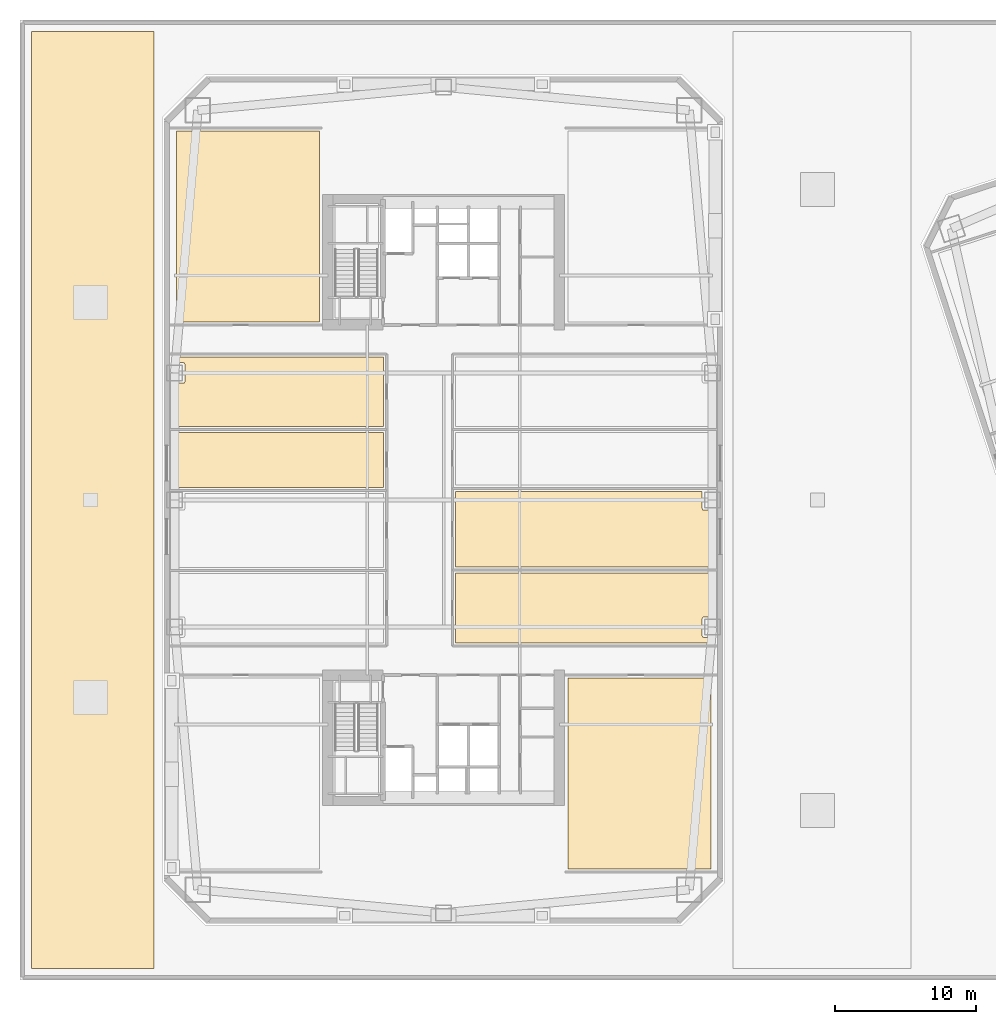
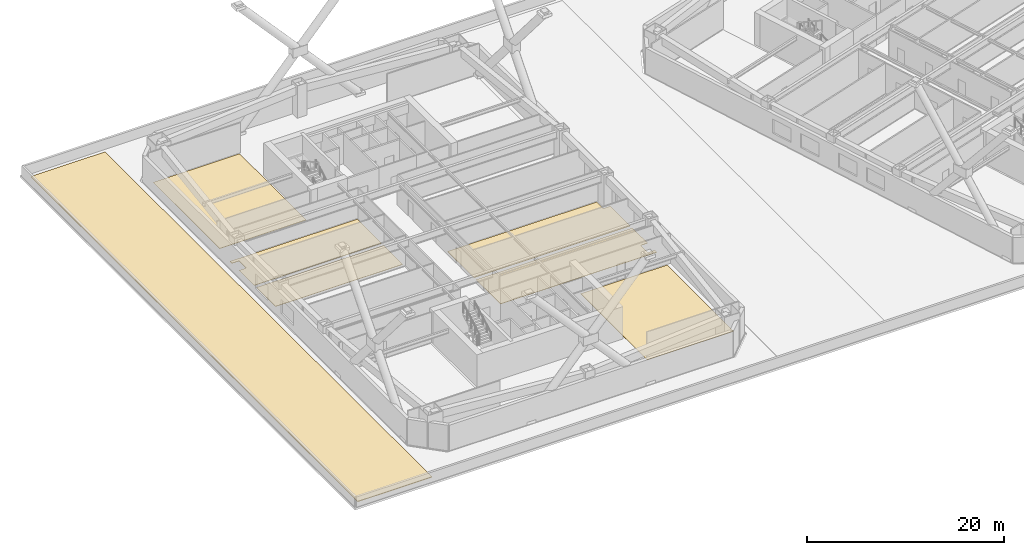
# One storey, part 15 of 20: 7 coverings.
"""IFC4 building model written with IfcOpenShell, lengths in metres."""

import ifcopenshell
import ifcopenshell.guid

model = None  # the IFC model being written
_history = None  # IfcOwnerHistory: only IFC2X3 demands one
_inside = {}  # id of a spatial element -> (the spatial element, [elements in it])
_under = {}  # id of a project, library or spatial element -> (it, [spatial elements below it])
_declared = {}  # id of a project -> (the project, [libraries it declares])
_typed = {}  # id of a type object -> (the type object, [elements of that type])
_made_of = {}  # id of a material, layer set ... -> (it, [elements and type objects made of it])


def new_model(schema):
    """Start an empty IFC model of exactly this schema.

    Asked for "IFC4X3", IfcOpenShell would pick the latest addendum, in which some entities
    have other attributes; the version numbers below select the first issue.
    IFC2X3 requires an IfcOwnerHistory on every rooted entity: one is made here for all.
    """
    global model, _history
    if schema == "IFC4X3":
        model = ifcopenshell.file(schema_version=(4, 3, 0, 0))
    else:
        model = ifcopenshell.file(schema=schema)
    _inside.clear()
    _under.clear()
    _declared.clear()
    _typed.clear()
    _made_of.clear()
    _history = None
    if model.schema == "IFC2X3":
        org = make("IfcOrganization", Name="unknown")
        user = make(
            "IfcPersonAndOrganization",
            ThePerson=make("IfcPerson", FamilyName="unknown"),
            TheOrganization=org,
        )
        app = make(
            "IfcApplication",
            ApplicationDeveloper=org,
            Version="unknown",
            ApplicationFullName="unknown",
            ApplicationIdentifier="unknown",
        )
        _history = make(
            "IfcOwnerHistory",
            OwningUser=user,
            OwningApplication=app,
            ChangeAction="ADDED",
            CreationDate=0,
        )
    return model


def make(cls, **values):
    """One entity of the class cls with the attributes given. An attribute that is None is left unset."""
    return model.create_entity(
        cls, **{name: value for name, value in values.items() if value is not None}
    )


def rooted(cls, **values):
    """An entity with a GlobalId (a new one), such as an element, a storey or a relation."""
    return make(cls, GlobalId=ifcopenshell.guid.new(), OwnerHistory=_history, **values)


def si_unit(unit_type, name, prefix=None):
    """IfcSIUnit, for example si_unit("LENGTHUNIT", "METRE", prefix="MILLI")."""
    return make("IfcSIUnit", UnitType=unit_type, Prefix=prefix, Name=name)


def assignment(units):
    """IfcUnitAssignment: the units of a project."""
    return None if units is None else make("IfcUnitAssignment", Units=units)


def point(xyz):
    """IfcCartesianPoint."""
    return None if xyz is None else make("IfcCartesianPoint", Coordinates=xyz)


def direction(xyz):
    """IfcDirection."""
    return None if xyz is None else make("IfcDirection", DirectionRatios=xyz)


def frame(location, z_axis=None, x_axis=None):
    """IfcAxis2Placement3D, a coordinate frame: its origin and axes. An axis left out is left unset."""
    return make(
        "IfcAxis2Placement3D",
        Location=point(location),
        Axis=direction(z_axis),
        RefDirection=direction(x_axis),
    )


def origin():
    """The frame at (0, 0, 0) with its axes left unset."""
    return frame((0.0, 0.0, 0.0))


def place(relative_to, where):
    """IfcLocalPlacement: puts the frame where relative to a parent placement (None: the world)."""
    return make(
        "IfcLocalPlacement", PlacementRelTo=relative_to, RelativePlacement=where
    )


def context(
    kind, dimensions, precision=None, world=None, true_north=None, identifier=None
):
    """IfcGeometricRepresentationContext, for example the 3D "Model" context."""
    return make(
        "IfcGeometricRepresentationContext",
        ContextIdentifier=identifier,
        ContextType=kind,
        CoordinateSpaceDimension=dimensions,
        Precision=precision,
        WorldCoordinateSystem=world,
        TrueNorth=true_north,
    )


def subcontext(parent, identifier, kind, view, scale=None):
    """IfcGeometricRepresentationSubContext, for example "Body" below "Model"."""
    return make(
        "IfcGeometricRepresentationSubContext",
        ContextIdentifier=identifier,
        ContextType=kind,
        ParentContext=parent,
        TargetScale=scale,
        TargetView=view,
    )


def project(units=None, contexts=None):
    """IfcProject with its units and contexts."""
    return rooted(
        "IfcProject",
        Name="project",
        RepresentationContexts=contexts,
        UnitsInContext=assignment(units),
    )


def spatial(cls, under=None, at=None, **own):
    """A site, building, storey or space (cls), placed at a placement, below another one or the project."""
    s = rooted(cls, ObjectPlacement=at, **own)
    if under is not None:
        _under.setdefault(under.id(), (under, []))[1].append(s)
    return s


def polyline(points):
    """IfcPolyline through the points."""
    return make("IfcPolyline", Points=[point(p) for p in points])


def outline(outer, holes=None, kind="AREA"):
    """IfcArbitraryClosedProfileDef: a profile drawn as a closed curve; with holes, ...WithVoids."""
    if holes is None:
        return make("IfcArbitraryClosedProfileDef", ProfileType=kind, OuterCurve=outer)
    return make(
        "IfcArbitraryProfileDefWithVoids",
        ProfileType=kind,
        OuterCurve=outer,
        InnerCurves=holes,
    )


def extrude(swept, where, along, depth):
    """IfcExtrudedAreaSolid: the profile swept, set in the frame where, extruded along a direction by depth."""
    return make(
        "IfcExtrudedAreaSolid",
        SweptArea=swept,
        Position=where,
        ExtrudedDirection=direction(along),
        Depth=depth,
    )


def shape(context_of_items, identifier, shape_type, items):
    """IfcShapeRepresentation: the items that make up one representation, for example the "Body"."""
    return make(
        "IfcShapeRepresentation",
        ContextOfItems=context_of_items,
        RepresentationIdentifier=identifier,
        RepresentationType=shape_type,
        Items=items,
    )


def material(Name=None, Category=None):
    """IfcMaterial."""
    return make("IfcMaterial", Name=Name, Category=Category)


def layer(
    of_material, thickness, ventilated=None, Name=None, Category=None, Priority=None
):
    """IfcMaterialLayer: one layer of a wall or slab, of a material (None: an air gap)."""
    return make(
        "IfcMaterialLayer",
        Material=of_material,
        LayerThickness=thickness,
        IsVentilated=ventilated,
        Name=Name,
        Category=Category,
        Priority=Priority,
    )


def layer_set(layers, Name=None):
    """IfcMaterialLayerSet."""
    return make("IfcMaterialLayerSet", MaterialLayers=layers, LayerSetName=Name)


def made_of(thing, what):
    """Note that an element or type object is made of a material, layer set ...; save() writes the relation."""
    if what is not None:
        _made_of.setdefault(what.id(), (what, []))[1].append(thing)
    return thing


def type_object(cls, material=None, **own):
    """A type object (cls), such as IfcWallType, which elements share."""
    return made_of(rooted(cls, **own), material)


def element(
    cls,
    number,
    at=None,
    inside=None,
    cuts=None,
    type_object=None,
    material=None,
    context=None,
    identifier="Body",
    shape_type=None,
    held_by="IfcProductDefinitionShape",
    body=None,
    shapes=None,
    **own,
):
    """One element of the class cls, such as IfcWall. Its Tag is "e" and its number.

    at: its placement. inside: the storey or other place that contains it. cuts: it is an
    opening in that element (IfcRelVoidsElement). A single representation is given by context,
    identifier, shape_type and body (its items); several are given by shapes. held_by: the class
    of the entity that holds the representations. save() writes the other relations.
    """
    e = rooted(cls, Tag="e%d" % number, ObjectPlacement=at, **own)
    if body is not None:
        shapes = [shape(context, identifier, shape_type, body)]
    if shapes is not None:
        e.Representation = make(held_by, Representations=shapes)
    if inside is not None:
        _inside.setdefault(inside.id(), (inside, []))[1].append(e)
    if cuts is not None:
        rooted(
            "IfcRelVoidsElement", RelatingBuildingElement=cuts, RelatedOpeningElement=e
        )
    if type_object is not None:
        _typed.setdefault(type_object.id(), (type_object, []))[1].append(e)
    return made_of(e, material)


def aggregate(whole, parts):
    """IfcRelAggregates: a whole, such as a stair, and the parts it consists of."""
    return rooted("IfcRelAggregates", RelatingObject=whole, RelatedObjects=parts)


def save(model, path):
    """Write the relations noted so far, then the file.

    IfcRelAggregates (storeys below a building ...), IfcRelContainedInSpatialStructure (elements
    in a storey), IfcRelDefinesByType, IfcRelAssociatesMaterial and IfcRelDeclares: one each for
    every whole, place, type object, material and project.
    """
    for whole, parts in _under.values():
        aggregate(whole, parts)
    for where, things in _inside.values():
        rooted(
            "IfcRelContainedInSpatialStructure",
            RelatedElements=things,
            RelatingStructure=where,
        )
    for kind, things in _typed.values():
        rooted("IfcRelDefinesByType", RelatedObjects=things, RelatingType=kind)
    for what, things in _made_of.values():
        rooted("IfcRelAssociatesMaterial", RelatedObjects=things, RelatingMaterial=what)
    for by, libraries in _declared.values():
        rooted("IfcRelDeclares", RelatingContext=by, RelatedDefinitions=libraries)
    model.write(path)


model = new_model("IFC4")

# Units and contexts
model_context = context("Model", 3, precision=1e-05, world=origin(), true_north=direction((0.0, 1.0)))
body_context = subcontext(model_context, "Body", "Model", "MODEL_VIEW")
ifc_project = project(units=[si_unit("LENGTHUNIT", "METRE"), si_unit("AREAUNIT", "SQUARE_METRE"), si_unit("VOLUMEUNIT", "CUBIC_METRE"), si_unit("PLANEANGLEUNIT", "RADIAN"), si_unit("MASSUNIT", "GRAM", prefix="KILO")], contexts=[model_context])

# Site, building, storey
site_placement = place(None, origin())
site = spatial("IfcSite", under=ifc_project, at=site_placement, CompositionType="ELEMENT")
building_placement = place(site_placement, origin())
building = spatial("IfcBuilding", under=site, at=building_placement, Name="Qiaolan Cultural Towers", CompositionType="ELEMENT")
storey_placement = place(building_placement, frame((0.0, 0.0, 26.0)))
storey = spatial("IfcBuildingStorey", under=building, at=storey_placement, Name="L05", CompositionType="ELEMENT", Elevation=26.0)

# Coverings
ifc_material_1 = material(Name="Honed Terrazzo & Raised Access Flooring", Category="concrete")
ifc_layer_1 = layer(ifc_material_1, 0.0400390625)
ifc_layer_set_1 = layer_set([ifc_layer_1], Name="Honed Terrazzo & Raised Access Flooring")
covering_type_1 = type_object("IfcCoveringType", Name="COV-FLR-STONE", PredefinedType="FLOORING", material=ifc_layer_set_1)
covering_1_placement = place(storey_placement, origin())
element("IfcCovering", 1, at=covering_1_placement, inside=storey, type_object=covering_type_1, Name="L05 Corner Curatorial Office Finish Flooring", PredefinedType="FLOORING", context=body_context, shape_type="SweptSolid", body=[
    extrude(outline(polyline([(48.929931640625, 7.8701171875), (48.929931640625, 21.3798828125), (38.800048828125, 21.3798828125), (38.800048828125, 7.8701171875), (48.929931640625, 7.8701171875)])), origin(), (0.0, 0.0, 1.0), 0.0400390625),
])
covering_2_placement = place(storey_placement, origin())
element("IfcCovering", 2, at=covering_2_placement, inside=storey, type_object=covering_type_1, Name="L05 Corner Conservation Studio Finish Flooring", PredefinedType="FLOORING", context=body_context, shape_type="SweptSolid", body=[
    extrude(outline(polyline([(21.199951171875, 46.6201171875), (21.199951171875, 60.1298828125), (11.070068359375, 60.1298828125), (11.070068359375, 46.6201171875), (21.199951171875, 46.6201171875)])), origin(), (0.0, 0.0, 1.0), 0.0400390625),
])
covering_3_placement = place(storey_placement, origin())
element("IfcCovering", 3, at=covering_3_placement, inside=storey, type_object=covering_type_1, Name="L05 Conservation Studio Finish Flooring", PredefinedType="FLOORING", context=body_context, shape_type="SweptSolid", body=[
    extrude(outline(polyline([(25.7548828125, 34.89990234375), (25.7548828125, 38.780029296875), (10.840087890625, 38.780029296875), (10.840087890625, 34.89990234375), (25.7548828125, 34.89990234375)])), origin(), (0.0, 0.0, 1.0), 0.0400390625),
])
covering_4_placement = place(storey_placement, origin())
element("IfcCovering", 4, at=covering_4_placement, inside=storey, type_object=covering_type_1, Name="L05 Gallery Exhibition Room Finish Flooring", PredefinedType="FLOORING", context=body_context, shape_type="SweptSolid", body=[
    extrude(outline(polyline([(10.840087890625, 43.72509765625), (11.554931640625, 43.72509765625), (11.566650390625, 43.724365234375), (11.578369140625, 43.72265625), (11.58984375, 43.7197265625), (11.600830078125, 43.7158203125), (11.611572265625, 43.7109375), (11.62158203125, 43.704833984375), (11.631103515625, 43.69775390625), (11.639892578125, 43.68994140625), (11.647705078125, 43.68115234375), (11.65478515625, 43.671630859375), (11.660888671875, 43.66162109375), (11.665771484375, 43.65087890625), (11.669921875, 43.639892578125), (11.672607421875, 43.62841796875), (11.67431640625, 43.61669921875), (11.675048828125, 43.60498046875), (11.675048828125, 42.39501953125), (11.67431640625, 42.38330078125), (11.672607421875, 42.37158203125), (11.669921875, 42.360107421875), (11.665771484375, 42.34912109375), (11.660888671875, 42.33837890625), (11.65478515625, 42.328369140625), (11.647705078125, 42.31884765625), (11.639892578125, 42.31005859375), (11.631103515625, 42.30224609375), (11.62158203125, 42.295166015625), (11.611572265625, 42.2890625), (11.600830078125, 42.2841796875), (11.58984375, 42.2802734375), (11.578369140625, 42.27734375), (11.566650390625, 42.275634765625), (11.554931640625, 42.27490234375), (10.840087890625, 42.27490234375), (10.840087890625, 39.219970703125), (25.7548828125, 39.219970703125), (25.7548828125, 44.1298828125), (10.840087890625, 44.1298828125), (10.840087890625, 43.72509765625)])), origin(), (0.0, 0.0, 1.0), 0.0400390625),
])
covering_5_placement = place(storey_placement, origin())
element("IfcCovering", 5, at=covering_5_placement, inside=storey, type_object=covering_type_1, Name="L05 Design Office Finish Flooring", PredefinedType="FLOORING", context=body_context, shape_type="SweptSolid", body=[
    extrude(outline(polyline([(49.159912109375, 24.27490234375), (48.445068359375, 24.27490234375), (48.433349609375, 24.275634765625), (48.421630859375, 24.27734375), (48.41015625, 24.2802734375), (48.399169921875, 24.2841796875), (48.388427734375, 24.2890625), (48.37841796875, 24.295166015625), (48.368896484375, 24.30224609375), (48.360107421875, 24.31005859375), (48.352294921875, 24.31884765625), (48.34521484375, 24.328369140625), (48.339111328125, 24.33837890625), (48.334228515625, 24.34912109375), (48.330078125, 24.360107421875), (48.327392578125, 24.37158203125), (48.32568359375, 24.38330078125), (48.324951171875, 24.39501953125), (48.324951171875, 25.60498046875), (48.32568359375, 25.61669921875), (48.327392578125, 25.62841796875), (48.330078125, 25.639892578125), (48.334228515625, 25.65087890625), (48.339111328125, 25.66162109375), (48.34521484375, 25.671630859375), (48.352294921875, 25.68115234375), (48.360107421875, 25.68994140625), (48.368896484375, 25.69775390625), (48.37841796875, 25.704833984375), (48.388427734375, 25.7109375), (48.399169921875, 25.7158203125), (48.41015625, 25.7197265625), (48.421630859375, 25.72265625), (48.433349609375, 25.724365234375), (48.445068359375, 25.72509765625), (49.159912109375, 25.72509765625), (49.159912109375, 28.81201171875), (30.844970703125, 28.81201171875), (30.844970703125, 23.8701171875), (49.159912109375, 23.8701171875), (49.159912109375, 24.27490234375)])), origin(), (0.0, 0.0, 1.0), 0.0400390625),
])
covering_6_placement = place(storey_placement, origin())
element("IfcCovering", 6, at=covering_6_placement, inside=storey, type_object=covering_type_1, Name="L05 Boardroom Finish Flooring", PredefinedType="FLOORING", context=body_context, shape_type="SweptSolid", body=[
    extrude(outline(polyline([(30.844970703125, 34.60791015625), (30.844970703125, 29.251953125), (49.159912109375, 29.251953125), (49.159912109375, 33.27490234375), (48.445068359375, 33.27490234375), (48.433349609375, 33.275634765625), (48.421630859375, 33.27734375), (48.41015625, 33.2802734375), (48.399169921875, 33.2841796875), (48.388427734375, 33.2890625), (48.37841796875, 33.295166015625), (48.368896484375, 33.30224609375), (48.360107421875, 33.31005859375), (48.352294921875, 33.31884765625), (48.34521484375, 33.328369140625), (48.339111328125, 33.33837890625), (48.334228515625, 33.34912109375), (48.330078125, 33.360107421875), (48.327392578125, 33.37158203125), (48.32568359375, 33.38330078125), (48.324951171875, 33.39501953125), (48.324951171875, 34.60498046875), (48.3251953125, 34.60791015625), (30.844970703125, 34.60791015625)])), origin(), (0.0, 0.0, 1.0), 0.0400390625),
])
ifc_material_2 = material(Name="TPO Waterproofing & Extruded Polystyrene Inverted Roof System", Category="bitumen")
ifc_layer_2 = layer(ifc_material_2, 0.080078125)
ifc_layer_set_2 = layer_set([ifc_layer_2], Name="TPO Waterproofing & Extruded Polystyrene Inverted Roof System")
covering_type_2 = type_object("IfcCoveringType", Name="COV-ROOF-MEMB", PredefinedType="ROOFING", material=ifc_layer_set_2)
covering_7_placement = place(storey_placement, origin())
element("IfcCovering", 7, at=covering_7_placement, inside=storey, type_object=covering_type_2, Name="Podium Inverted Waterproofing Roof Membrane COV-PRF-W", PredefinedType="ROOFING", context=body_context, shape_type="SweptSolid", body=[
    extrude(outline(polyline([(0.800048828125, 0.800048828125), (9.5, 0.800048828125), (9.5, 67.199951171875), (0.800048828125, 67.199951171875), (0.800048828125, 0.800048828125)])), origin(), (0.0, 0.0, 1.0), 0.080078125),
])

save(model, "model.ifc")
